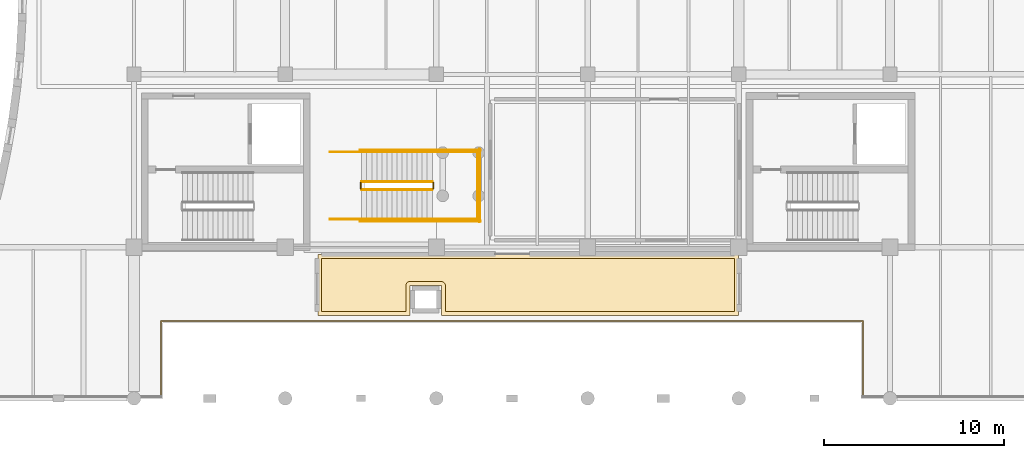
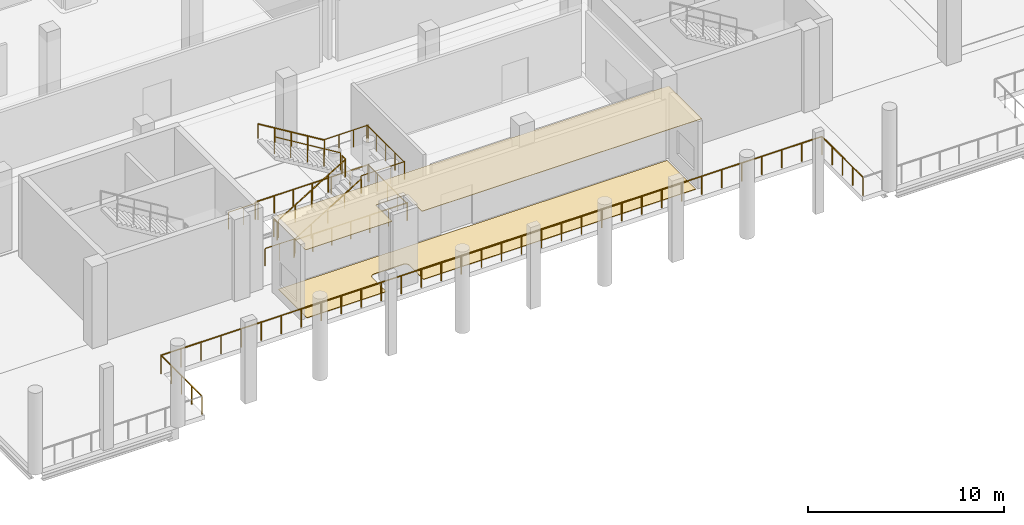
# One storey, part 56 of 66: 15 railings, 2 coverings.
"""IFC4 building model written with IfcOpenShell, lengths in metres."""

from ifc_helpers import new_model, si_unit, direction, frame, origin, origin_2d, place, context, subcontext, project, spatial, polyline, circle, outline, extrude, material, layer, layer_set, type_object, element, save


model = new_model("IFC4")

# Units and contexts
model_context = context("Model", 3, precision=1e-05, world=origin(), true_north=direction((0.0, 1.0)))
body_context = subcontext(model_context, "Body", "Model", "MODEL_VIEW")
ifc_project = project(units=[si_unit("LENGTHUNIT", "METRE"), si_unit("AREAUNIT", "SQUARE_METRE"), si_unit("VOLUMEUNIT", "CUBIC_METRE"), si_unit("PLANEANGLEUNIT", "RADIAN"), si_unit("MASSUNIT", "GRAM", prefix="KILO")], contexts=[model_context])

# Site, building, storey
site_placement = place(None, origin())
site = spatial("IfcSite", under=ifc_project, at=site_placement, CompositionType="ELEMENT")
building_placement = place(site_placement, origin())
building = spatial("IfcBuilding", under=site, at=building_placement, Name="Zulmaris Art Gallery", CompositionType="ELEMENT")
storey_placement = place(building_placement, frame((0.0, 0.0, 5.39990234375)))
storey = spatial("IfcBuildingStorey", under=building, at=storey_placement, Name="L01", CompositionType="ELEMENT", Elevation=5.39990234375)

# Coverings
ifc_material_1 = material(Name="Micro-Perforated Gypsum Acoustic Ceiling", Category="gypsum")
ifc_layer_1 = layer(ifc_material_1, 0.02490234375)
ifc_layer_set_1 = layer_set([ifc_layer_1], Name="Micro-Perforated Gypsum Acoustic Ceiling")
covering_type_1 = type_object("IfcCoveringType", Name="COV-CL01", PredefinedType="CEILING", material=ifc_layer_set_1)
covering_1_placement = place(storey_placement, frame((0.0, 0.0, 4.4501953125)))
element("IfcCovering", 1, at=covering_1_placement, inside=storey, type_object=covering_type_1, Name="South Mezzanine Overlook Promenade acoustic ceiling", PredefinedType="CEILING", context=body_context, shape_type="SweptSolid", body=[
    extrude(outline(polyline([(49.479248046875, 19.455810546875), (49.478515625, 19.45849609375), (49.4775390625, 19.46142578125), (49.476318359375, 19.464111328125), (49.474609375, 19.466552734375), (49.472900390625, 19.468994140625), (49.470947265625, 19.470947265625), (49.468994140625, 19.472900390625), (49.466552734375, 19.474609375), (49.464111328125, 19.476318359375), (49.46142578125, 19.4775390625), (49.45849609375, 19.478515625), (49.455810546875, 19.479248046875), (49.452880859375, 19.4794921875), (49.444580078125, 19.47998046875), (47.75537109375, 19.47998046875), (47.7470703125, 19.4794921875), (47.744140625, 19.479248046875), (47.741455078125, 19.478515625), (47.738525390625, 19.4775390625), (47.736083984375, 19.476318359375), (47.7333984375, 19.474609375), (47.731201171875, 19.472900390625), (47.72900390625, 19.470947265625), (47.72705078125, 19.468994140625), (47.725341796875, 19.466552734375), (47.723876953125, 19.464111328125), (47.722412109375, 19.46142578125), (47.721435546875, 19.45849609375), (47.720703125, 19.455810546875), (47.720458984375, 19.452880859375), (47.719970703125, 19.444580078125), (47.719970703125, 17.81005859375), (42.610107421875, 17.81005859375), (42.610107421875, 21.18994140625), (65.989990234375, 21.18994140625), (65.989990234375, 17.81005859375), (49.47998046875, 17.81005859375), (49.47998046875, 19.444580078125), (49.4794921875, 19.452880859375), (49.479248046875, 19.455810546875)])), origin(), (0.0, 0.0, 1.0), 0.02978515625),
])
ifc_material_2 = material(Name="Honed Omani Limestone Terrazzo Flooring", Category="masonry")
ifc_layer_2 = layer(ifc_material_2, 0.0400390625)
ifc_layer_set_2 = layer_set([ifc_layer_2], Name="Honed Omani Limestone Terrazzo Flooring")
covering_type_2 = type_object("IfcCoveringType", Name="COV-FL01", PredefinedType="FLOORING", material=ifc_layer_set_2)
covering_2_placement = place(storey_placement, origin())
element("IfcCovering", 2, at=covering_2_placement, inside=storey, type_object=covering_type_2, Name="South Mezzanine Overlook Promenade finish flooring", PredefinedType="FLOORING", context=body_context, shape_type="SweptSolid", body=[
    extrude(outline(polyline([(49.699951171875, 19.449951171875), (49.69873046875, 19.474609375), (49.6953125, 19.498779296875), (49.689208984375, 19.522705078125), (49.680908203125, 19.545654296875), (49.67041015625, 19.56787109375), (49.657958984375, 19.5888671875), (49.643310546875, 19.608642578125), (49.626708984375, 19.626708984375), (49.608642578125, 19.643310546875), (49.5888671875, 19.657958984375), (49.56787109375, 19.67041015625), (49.545654296875, 19.680908203125), (49.522705078125, 19.689208984375), (49.498779296875, 19.6953125), (49.474609375, 19.69873046875), (49.449951171875, 19.699951171875), (47.75, 19.699951171875), (47.7255859375, 19.69873046875), (47.701171875, 19.6953125), (47.677490234375, 19.689208984375), (47.654296875, 19.680908203125), (47.632080078125, 19.67041015625), (47.611083984375, 19.657958984375), (47.59130859375, 19.643310546875), (47.5732421875, 19.626708984375), (47.556640625, 19.608642578125), (47.5419921875, 19.5888671875), (47.529541015625, 19.56787109375), (47.51904296875, 19.545654296875), (47.5107421875, 19.522705078125), (47.5048828125, 19.498779296875), (47.501220703125, 19.474609375), (47.5, 19.449951171875), (47.5, 18.030029296875), (42.830078125, 18.030029296875), (42.830078125, 20.969970703125), (65.77001953125, 20.969970703125), (65.77001953125, 18.030029296875), (49.699951171875, 18.030029296875), (49.699951171875, 19.449951171875)])), origin(), (0.0, 0.0, 1.0), 0.03515625),
])

# Railings
ifc_material_3 = material(Name="Bronze & Laminated Glass Balustrade", Category="glass")
ifc_layer_3 = layer(ifc_material_3, 0.070068359375)
ifc_layer_set_3 = layer_set([ifc_layer_3], Name="Bronze & Laminated Glass Balustrade")
railing_type_1 = type_object("IfcRailingType", Name="RAIL-BAL01", PredefinedType="BALUSTRADE", material=ifc_layer_set_3)
railing_1_placement = place(storey_placement, frame((33.89990234375, 13.300048828125, 0.0)))
element("IfcRailing", 3, at=railing_1_placement, inside=storey, type_object=railing_type_1, Name="L01 Colonnade Void Guard W", PredefinedType="BALUSTRADE", context=body_context, shape_type="SweptSolid", body=[
    extrude(circle(Radius=0.02392578125, at=origin_2d()), frame((0.0, 0.0, 1.1357421875), z_axis=(0.0, 1.0, 0.0), x_axis=(-1.0, 0.0, 0.0)), (0.0, 0.0, 1.0), 4.199951171875),
    extrude(circle(Radius=0.02392578125, at=origin_2d()), frame((0.0, 4.199951171875, 1.1357421875), z_axis=(1.0, 0.0, 0.0), x_axis=(0.0, 1.0, 0.0)), (0.0, 0.0, 1.0), 39.0),
    extrude(circle(Radius=0.02392578125, at=origin_2d()), frame((39.0, 4.199951171875, 1.1357421875), z_axis=(0.0, -1.0, 0.0), x_axis=(1.0, 0.0, 0.0)), (0.0, 0.0, 1.0), 4.199951171875),
    extrude(circle(Radius=0.02099609375, at=origin_2d()), origin(), (0.0, 0.0, 1.0), 1.11181640625),
    extrude(circle(Radius=0.02099609375, at=origin_2d()), frame((0.0, 1.050048828125, 0.0)), (0.0, 0.0, 1.0), 1.11181640625),
    extrude(circle(Radius=0.02099609375, at=origin_2d()), frame((0.0, 2.10009765625, 0.0)), (0.0, 0.0, 1.0), 1.11181640625),
    extrude(circle(Radius=0.02099609375, at=origin_2d()), frame((0.0, 3.14990234375, 0.0)), (0.0, 0.0, 1.0), 1.11181640625),
    extrude(circle(Radius=0.02099609375, at=origin_2d()), frame((0.0, 4.199951171875, 0.0)), (0.0, 0.0, 1.0), 1.11181640625),
    extrude(circle(Radius=0.02099609375, at=origin_2d()), frame((1.181884765625, 4.199951171875, 0.0)), (0.0, 0.0, 1.0), 1.11181640625),
    extrude(circle(Radius=0.02099609375, at=origin_2d()), frame((2.363525390625, 4.199951171875, 0.0)), (0.0, 0.0, 1.0), 1.11181640625),
    extrude(circle(Radius=0.02099609375, at=origin_2d()), frame((3.54541015625, 4.199951171875, 0.0)), (0.0, 0.0, 1.0), 1.11181640625),
    extrude(circle(Radius=0.02099609375, at=origin_2d()), frame((4.727294921875, 4.199951171875, 0.0)), (0.0, 0.0, 1.0), 1.11181640625),
    extrude(circle(Radius=0.02099609375, at=origin_2d()), frame((5.9091796875, 4.199951171875, 0.0)), (0.0, 0.0, 1.0), 1.11181640625),
    extrude(circle(Radius=0.02099609375, at=origin_2d()), frame((7.0908203125, 4.199951171875, 0.0)), (0.0, 0.0, 1.0), 1.11181640625),
    extrude(circle(Radius=0.02099609375, at=origin_2d()), frame((8.272705078125, 4.199951171875, 0.0)), (0.0, 0.0, 1.0), 1.11181640625),
    extrude(circle(Radius=0.02099609375, at=origin_2d()), frame((9.45458984375, 4.199951171875, 0.0)), (0.0, 0.0, 1.0), 1.11181640625),
    extrude(circle(Radius=0.02099609375, at=origin_2d()), frame((10.636474609375, 4.199951171875, 0.0)), (0.0, 0.0, 1.0), 1.11181640625),
    extrude(circle(Radius=0.02099609375, at=origin_2d()), frame((11.818115234375, 4.199951171875, 0.0)), (0.0, 0.0, 1.0), 1.11181640625),
    extrude(circle(Radius=0.02099609375, at=origin_2d()), frame((13.0, 4.199951171875, 0.0)), (0.0, 0.0, 1.0), 1.11181640625),
    extrude(circle(Radius=0.02099609375, at=origin_2d()), frame((14.181884765625, 4.199951171875, 0.0)), (0.0, 0.0, 1.0), 1.11181640625),
    extrude(circle(Radius=0.02099609375, at=origin_2d()), frame((15.363525390625, 4.199951171875, 0.0)), (0.0, 0.0, 1.0), 1.11181640625),
    extrude(circle(Radius=0.02099609375, at=origin_2d()), frame((16.54541015625, 4.199951171875, 0.0)), (0.0, 0.0, 1.0), 1.11181640625),
    extrude(circle(Radius=0.02099609375, at=origin_2d()), frame((17.727294921875, 4.199951171875, 0.0)), (0.0, 0.0, 1.0), 1.11181640625),
    extrude(circle(Radius=0.02099609375, at=origin_2d()), frame((18.9091796875, 4.199951171875, 0.0)), (0.0, 0.0, 1.0), 1.11181640625),
    extrude(circle(Radius=0.02099609375, at=origin_2d()), frame((20.0908203125, 4.199951171875, 0.0)), (0.0, 0.0, 1.0), 1.11181640625),
    extrude(circle(Radius=0.02099609375, at=origin_2d()), frame((21.272705078125, 4.199951171875, 0.0)), (0.0, 0.0, 1.0), 1.11181640625),
    extrude(circle(Radius=0.02099609375, at=origin_2d()), frame((22.45458984375, 4.199951171875, 0.0)), (0.0, 0.0, 1.0), 1.11181640625),
    extrude(circle(Radius=0.02099609375, at=origin_2d()), frame((23.636474609375, 4.199951171875, 0.0)), (0.0, 0.0, 1.0), 1.11181640625),
    extrude(circle(Radius=0.02099609375, at=origin_2d()), frame((24.818115234375, 4.199951171875, 0.0)), (0.0, 0.0, 1.0), 1.11181640625),
    extrude(circle(Radius=0.02099609375, at=origin_2d()), frame((26.0, 4.199951171875, 0.0)), (0.0, 0.0, 1.0), 1.11181640625),
    extrude(circle(Radius=0.02099609375, at=origin_2d()), frame((27.181884765625, 4.199951171875, 0.0)), (0.0, 0.0, 1.0), 1.11181640625),
    extrude(circle(Radius=0.02099609375, at=origin_2d()), frame((28.363525390625, 4.199951171875, 0.0)), (0.0, 0.0, 1.0), 1.11181640625),
    extrude(circle(Radius=0.02099609375, at=origin_2d()), frame((29.54541015625, 4.199951171875, 0.0)), (0.0, 0.0, 1.0), 1.11181640625),
    extrude(circle(Radius=0.02099609375, at=origin_2d()), frame((30.727294921875, 4.199951171875, 0.0)), (0.0, 0.0, 1.0), 1.11181640625),
    extrude(circle(Radius=0.02099609375, at=origin_2d()), frame((31.9091796875, 4.199951171875, 0.0)), (0.0, 0.0, 1.0), 1.11181640625),
    extrude(circle(Radius=0.02099609375, at=origin_2d()), frame((33.0908203125, 4.199951171875, 0.0)), (0.0, 0.0, 1.0), 1.11181640625),
    extrude(circle(Radius=0.02099609375, at=origin_2d()), frame((34.272705078125, 4.199951171875, 0.0)), (0.0, 0.0, 1.0), 1.11181640625),
    extrude(circle(Radius=0.02099609375, at=origin_2d()), frame((35.45458984375, 4.199951171875, 0.0)), (0.0, 0.0, 1.0), 1.11181640625),
    extrude(circle(Radius=0.02099609375, at=origin_2d()), frame((36.636474609375, 4.199951171875, 0.0)), (0.0, 0.0, 1.0), 1.11181640625),
    extrude(circle(Radius=0.02099609375, at=origin_2d()), frame((37.818115234375, 4.199951171875, 0.0)), (0.0, 0.0, 1.0), 1.11181640625),
    extrude(circle(Radius=0.02099609375, at=origin_2d()), frame((39.0, 4.199951171875, 0.0)), (0.0, 0.0, 1.0), 1.11181640625),
    extrude(circle(Radius=0.02099609375, at=origin_2d()), frame((39.0, 3.14990234375, 0.0)), (0.0, 0.0, 1.0), 1.11181640625),
    extrude(circle(Radius=0.02099609375, at=origin_2d()), frame((39.0, 2.10009765625, 0.0)), (0.0, 0.0, 1.0), 1.11181640625),
    extrude(circle(Radius=0.02099609375, at=origin_2d()), frame((39.0, 1.050048828125, 0.0)), (0.0, 0.0, 1.0), 1.11181640625),
    extrude(circle(Radius=0.02099609375, at=origin_2d()), frame((39.0, 0.0, 0.0)), (0.0, 0.0, 1.0), 1.11181640625),
])
ifc_material_4 = material(Name="Steel S355J2", Category="steel")
ifc_layer_4 = layer(ifc_material_4, 0.050048828125)
ifc_layer_set_4 = layer_set([ifc_layer_4], Name="Steel S355J2")
railing_type_2 = type_object("IfcRailingType", Name="RAIL-STGRD", PredefinedType="GUARDRAIL", material=ifc_layer_set_4)
railing_2_placement = place(storey_placement, frame((45.050048828125, 24.800048828125, 0.170166015625)))
element("IfcRailing", 4, at=railing_2_placement, inside=storey, type_object=railing_type_2, Name="L01 ST6 stair guard 1", PredefinedType="GUARDRAIL", context=body_context, shape_type="SweptSolid", body=[
    extrude(circle(Radius=0.02392578125, at=origin_2d()), frame((0.0, 0.0, 1.076171875), z_axis=(0.854794262968, 0.0, 0.518967020143), x_axis=(0.0, 1.0, 0.0)), (0.0, 0.0, 1.0), 4.585693359375),
    extrude(circle(Radius=0.02099609375, at=origin_2d()), origin(), (0.0, 0.0, 1.0), 1.052001953125),
    extrude(circle(Radius=0.02099609375, at=origin_2d()), frame((0.97998046875, 0.0, 0.594970703125)), (0.0, 0.0, 1.0), 1.052001953125),
    extrude(circle(Radius=0.02099609375, at=origin_2d()), frame((1.9599609375, 0.0, 1.18994140625)), (0.0, 0.0, 1.0), 1.052001953125),
    extrude(circle(Radius=0.02099609375, at=origin_2d()), frame((2.93994140625, 0.0, 1.784912109375)), (0.0, 0.0, 1.0), 1.052001953125),
    extrude(circle(Radius=0.02099609375, at=origin_2d()), frame((3.919921875, 0.0, 2.3798828125)), (0.0, 0.0, 1.0), 1.052001953125),
])
railing_3_placement = place(storey_placement, frame((49.02001953125, 24.85009765625, 2.550048828125)))
element("IfcRailing", 5, at=railing_3_placement, inside=storey, type_object=railing_type_2, Name="L01 ST6 stair guard 2", PredefinedType="GUARDRAIL", context=body_context, shape_type="SweptSolid", body=[
    extrude(circle(Radius=0.02392578125, at=origin_2d()), frame((0.0, 0.0, 1.076171875), z_axis=(0.0, 1.0, 0.0), x_axis=(-1.0, 0.0, 0.0)), (0.0, 0.0, 1.0), 0.33984375),
    extrude(circle(Radius=0.02099609375, at=origin_2d()), origin(), (0.0, 0.0, 1.0), 1.052001953125),
    extrude(circle(Radius=0.02099609375, at=origin_2d()), frame((0.0, 0.33984375, 0.0)), (0.0, 0.0, 1.0), 1.052001953125),
])
for number, where, name in (
    (6, (48.969970703125, 23.14990234375, 2.550048828125), "L01 ST6 stair guard 3"),
    (7, (48.969970703125, 26.889892578125, 2.550048828125), "L01 ST6 stair guard 4"),
):
    element("IfcRailing", number, at=place(storey_placement, frame(where)), inside=storey, type_object=railing_type_2, Name=name, PredefinedType="GUARDRAIL", context=body_context, shape_type="SweptSolid", body=[
        extrude(circle(Radius=0.02392578125, at=origin_2d()), frame((0.0, 0.0, 1.076171875), z_axis=(1.0, 0.0, 0.0), x_axis=(0.0, 1.0, 0.0)), (0.0, 0.0, 1.0), 2.580078125),
        extrude(circle(Radius=0.02099609375, at=origin_2d()), origin(), (0.0, 0.0, 1.0), 1.052001953125),
        extrude(circle(Radius=0.02099609375, at=origin_2d()), frame((0.860107421875, 0.0, 0.0)), (0.0, 0.0, 1.0), 1.052001953125),
        extrude(circle(Radius=0.02099609375, at=origin_2d()), frame((1.719970703125, 0.0, 0.0)), (0.0, 0.0, 1.0), 1.052001953125),
        extrude(circle(Radius=0.02099609375, at=origin_2d()), frame((2.580078125, 0.0, 0.0)), (0.0, 0.0, 1.0), 1.052001953125),
    ])
railing_4_placement = place(storey_placement, frame((51.5, 23.10009765625, 2.550048828125)))
element("IfcRailing", 8, at=railing_4_placement, inside=storey, type_object=railing_type_2, Name="L01 ST6 stair guard 5", PredefinedType="GUARDRAIL", context=body_context, shape_type="SweptSolid", body=[
    extrude(circle(Radius=0.02392578125, at=origin_2d()), frame((0.0, 0.0, 1.076171875), z_axis=(0.0, 1.0, 0.0), x_axis=(-1.0, 0.0, 0.0)), (0.0, 0.0, 1.0), 3.83984375),
    extrude(circle(Radius=0.02099609375, at=origin_2d()), origin(), (0.0, 0.0, 1.0), 1.052001953125),
    extrude(circle(Radius=0.02099609375, at=origin_2d()), frame((0.0, 0.9599609375, 0.0)), (0.0, 0.0, 1.0), 1.052001953125),
    extrude(circle(Radius=0.02099609375, at=origin_2d()), frame((0.0, 1.919921875, 0.0)), (0.0, 0.0, 1.0), 1.052001953125),
    extrude(circle(Radius=0.02099609375, at=origin_2d()), frame((0.0, 2.8798828125, 0.0)), (0.0, 0.0, 1.0), 1.052001953125),
    extrude(circle(Radius=0.02099609375, at=origin_2d()), frame((0.0, 3.83984375, 0.0)), (0.0, 0.0, 1.0), 1.052001953125),
])
railing_5_placement = place(storey_placement, frame((48.969970703125, 25.239990234375, 2.72021484375)))
element("IfcRailing", 9, at=railing_5_placement, inside=storey, type_object=railing_type_2, Name="L01 ST6 stair guard 6", PredefinedType="GUARDRAIL", context=body_context, shape_type="SweptSolid", body=[
    extrude(circle(Radius=0.02392578125, at=origin_2d()), frame((0.0, 0.0, 1.076171875), z_axis=(-0.854794262968, 0.0, 0.518967020143), x_axis=(0.0, -1.0, 0.0)), (0.0, 0.0, 1.0), 4.585693359375),
    extrude(circle(Radius=0.02099609375, at=origin_2d()), origin(), (0.0, 0.0, 1.0), 1.052001953125),
    extrude(circle(Radius=0.02099609375, at=origin_2d()), frame((-0.97998046875, 0.0, 0.594970703125)), (0.0, 0.0, 1.0), 1.052001953125),
    extrude(circle(Radius=0.02099609375, at=origin_2d()), frame((-1.9599609375, 0.0, 1.18994140625)), (0.0, 0.0, 1.0), 1.052001953125),
    extrude(circle(Radius=0.02099609375, at=origin_2d()), frame((-2.93994140625, 0.0, 1.784912109375)), (0.0, 0.0, 1.0), 1.052001953125),
    extrude(circle(Radius=0.02099609375, at=origin_2d()), frame((-3.919921875, 0.0, 2.3798828125)), (0.0, 0.0, 1.0), 1.052001953125),
])
railing_6_placement = place(storey_placement, frame((45.0, 24.85009765625, 0.0)))
element("IfcRailing", 10, at=railing_6_placement, inside=storey, type_object=railing_type_2, Name="L01 ST6 stair guard 7", PredefinedType="GUARDRAIL", context=body_context, shape_type="SweptSolid", body=[
    extrude(circle(Radius=0.02392578125, at=origin_2d()), frame((0.0, 0.0, 1.076171875), z_axis=(0.0, 1.0, 0.0), x_axis=(-1.0, 0.0, 0.0)), (0.0, 0.0, 1.0), 0.33984375),
    extrude(circle(Radius=0.02099609375, at=origin_2d()), origin(), (0.0, 0.0, 1.0), 1.052001953125),
    extrude(circle(Radius=0.02099609375, at=origin_2d()), frame((0.0, 0.33984375, 0.0)), (0.0, 0.0, 1.0), 1.052001953125),
])
for number, where, name in (
    (11, (43.300048828125, 23.14990234375, 0.0), "L01 ST6 stair guard 8"),
    (12, (43.300048828125, 26.889892578125, 0.0), "L01 ST6 stair guard 9"),
):
    element("IfcRailing", number, at=place(storey_placement, frame(where)), inside=storey, type_object=railing_type_2, Name=name, PredefinedType="GUARDRAIL", context=body_context, shape_type="SweptSolid", body=[
        extrude(circle(Radius=0.02392578125, at=origin_2d()), frame((0.0, 0.0, 1.076171875), z_axis=(1.0, 0.0, 0.0), x_axis=(0.0, 1.0, 0.0)), (0.0, 0.0, 1.0), 1.75),
        extrude(circle(Radius=0.02099609375, at=origin_2d()), origin(), (0.0, 0.0, 1.0), 1.052001953125),
        extrude(circle(Radius=0.02099609375, at=origin_2d()), frame((0.875, 0.0, 0.0)), (0.0, 0.0, 1.0), 1.052001953125),
        extrude(circle(Radius=0.02099609375, at=origin_2d()), frame((1.75, 0.0, 0.0)), (0.0, 0.0, 1.0), 1.052001953125),
    ])
for number, where, name in (
    (13, (44.949951171875, 23.050048828125, 0.0), "L01 ST6 stair guard 10"),
    (14, (44.949951171875, 26.989990234375, 0.0), "L01 ST6 stair guard 11"),
):
    element("IfcRailing", number, at=place(storey_placement, frame(where)), inside=storey, type_object=railing_type_2, Name=name, PredefinedType="GUARDRAIL", context=body_context, shape_type="SweptSolid", body=[
        extrude(circle(Radius=0.02392578125, at=origin_2d()), frame((0.0, 0.0, 1.076171875), z_axis=(1.0, 0.0, 0.0), x_axis=(0.0, 1.0, 0.0)), (0.0, 0.0, 1.0), 6.699951171875),
        extrude(circle(Radius=0.02099609375, at=origin_2d()), origin(), (0.0, 0.0, 1.0), 1.052001953125),
        extrude(circle(Radius=0.02099609375, at=origin_2d()), frame((1.11669921875, 0.0, 0.0)), (0.0, 0.0, 1.0), 1.052001953125),
        extrude(circle(Radius=0.02099609375, at=origin_2d()), frame((2.2333984375, 0.0, 0.0)), (0.0, 0.0, 1.0), 1.052001953125),
        extrude(circle(Radius=0.02099609375, at=origin_2d()), frame((3.35009765625, 0.0, 0.0)), (0.0, 0.0, 1.0), 1.052001953125),
        extrude(circle(Radius=0.02099609375, at=origin_2d()), frame((4.466552734375, 0.0, 0.0)), (0.0, 0.0, 1.0), 1.052001953125),
        extrude(circle(Radius=0.02099609375, at=origin_2d()), frame((5.583251953125, 0.0, 0.0)), (0.0, 0.0, 1.0), 1.052001953125),
        extrude(circle(Radius=0.02099609375, at=origin_2d()), frame((6.699951171875, 0.0, 0.0)), (0.0, 0.0, 1.0), 1.052001953125),
    ])
railing_7_placement = place(storey_placement, frame((51.60009765625, 23.0, 0.0)))
element("IfcRailing", 15, at=railing_7_placement, inside=storey, type_object=railing_type_2, Name="L01 ST6 stair guard 12", PredefinedType="GUARDRAIL", context=body_context, shape_type="SweptSolid", body=[
    extrude(circle(Radius=0.02392578125, at=origin_2d()), frame((0.0, 0.0, 1.076171875), z_axis=(0.0, 1.0, 0.0), x_axis=(-1.0, 0.0, 0.0)), (0.0, 0.0, 1.0), 4.0400390625),
    extrude(circle(Radius=0.02099609375, at=origin_2d()), origin(), (0.0, 0.0, 1.0), 1.052001953125),
    extrude(circle(Radius=0.02099609375, at=origin_2d()), frame((0.0, 1.010009765625, 0.0)), (0.0, 0.0, 1.0), 1.052001953125),
    extrude(circle(Radius=0.02099609375, at=origin_2d()), frame((0.0, 2.02001953125, 0.0)), (0.0, 0.0, 1.0), 1.052001953125),
    extrude(circle(Radius=0.02099609375, at=origin_2d()), frame((0.0, 3.030029296875, 0.0)), (0.0, 0.0, 1.0), 1.052001953125),
    extrude(circle(Radius=0.02099609375, at=origin_2d()), frame((0.0, 4.0400390625, 0.0)), (0.0, 0.0, 1.0), 1.052001953125),
])
ifc_material_5 = material(Name="Brushed Bronze Handrail", Category="steel")
ifc_layer_5 = layer(ifc_material_5, 0.048095703125)
ifc_layer_set_5 = layer_set([ifc_layer_5], Name="Brushed Bronze Handrail")
railing_type_3 = type_object("IfcRailingType", Name="RAIL-STHND", PredefinedType="HANDRAIL", material=ifc_layer_set_5)
railing_8_placement = place(storey_placement, frame((45.050048828125, 23.14990234375, 0.170166015625)))
element("IfcRailing", 16, at=railing_8_placement, inside=storey, type_object=railing_type_3, Name="L01 ST6 stair handrail 1", PredefinedType="HANDRAIL", context=body_context, shape_type="SweptSolid", body=[
    extrude(circle(Radius=0.02392578125, at=origin_2d()), frame((0.0, 0.0, 0.8759765625), z_axis=(0.854794262968, 0.0, 0.518967020143), x_axis=(0.0, 1.0, 0.0)), (0.0, 0.0, 1.0), 4.585693359375),
    extrude(circle(Radius=0.02099609375, at=origin_2d()), origin(), (0.0, 0.0, 1.0), 0.851806640625),
    extrude(circle(Radius=0.02099609375, at=origin_2d()), frame((0.97998046875, 0.0, 0.594970703125)), (0.0, 0.0, 1.0), 0.851806640625),
    extrude(circle(Radius=0.02099609375, at=origin_2d()), frame((1.9599609375, 0.0, 1.18994140625)), (0.0, 0.0, 1.0), 0.851806640625),
    extrude(circle(Radius=0.02099609375, at=origin_2d()), frame((2.93994140625, 0.0, 1.784912109375)), (0.0, 0.0, 1.0), 0.851806640625),
    extrude(circle(Radius=0.02099609375, at=origin_2d()), frame((3.919921875, 0.0, 2.3798828125)), (0.0, 0.0, 1.0), 0.851806640625),
])
railing_9_placement = place(storey_placement, frame((48.969970703125, 26.889892578125, 2.72021484375)))
element("IfcRailing", 17, at=railing_9_placement, inside=storey, type_object=railing_type_3, Name="L01 ST6 stair handrail 2", PredefinedType="HANDRAIL", context=body_context, shape_type="SweptSolid", body=[
    extrude(circle(Radius=0.02392578125, at=origin_2d()), frame((0.0, 0.0, 0.8759765625), z_axis=(-0.854794262968, 0.0, 0.518967020143), x_axis=(0.0, -1.0, 0.0)), (0.0, 0.0, 1.0), 4.585693359375),
    extrude(circle(Radius=0.02099609375, at=origin_2d()), origin(), (0.0, 0.0, 1.0), 0.851806640625),
    extrude(circle(Radius=0.02099609375, at=origin_2d()), frame((-0.97998046875, 0.0, 0.594970703125)), (0.0, 0.0, 1.0), 0.851806640625),
    extrude(circle(Radius=0.02099609375, at=origin_2d()), frame((-1.9599609375, 0.0, 1.18994140625)), (0.0, 0.0, 1.0), 0.851806640625),
    extrude(circle(Radius=0.02099609375, at=origin_2d()), frame((-2.93994140625, 0.0, 1.784912109375)), (0.0, 0.0, 1.0), 0.851806640625),
    extrude(circle(Radius=0.02099609375, at=origin_2d()), frame((-3.919921875, 0.0, 2.3798828125)), (0.0, 0.0, 1.0), 0.851806640625),
])

save(model, "model.ifc")
